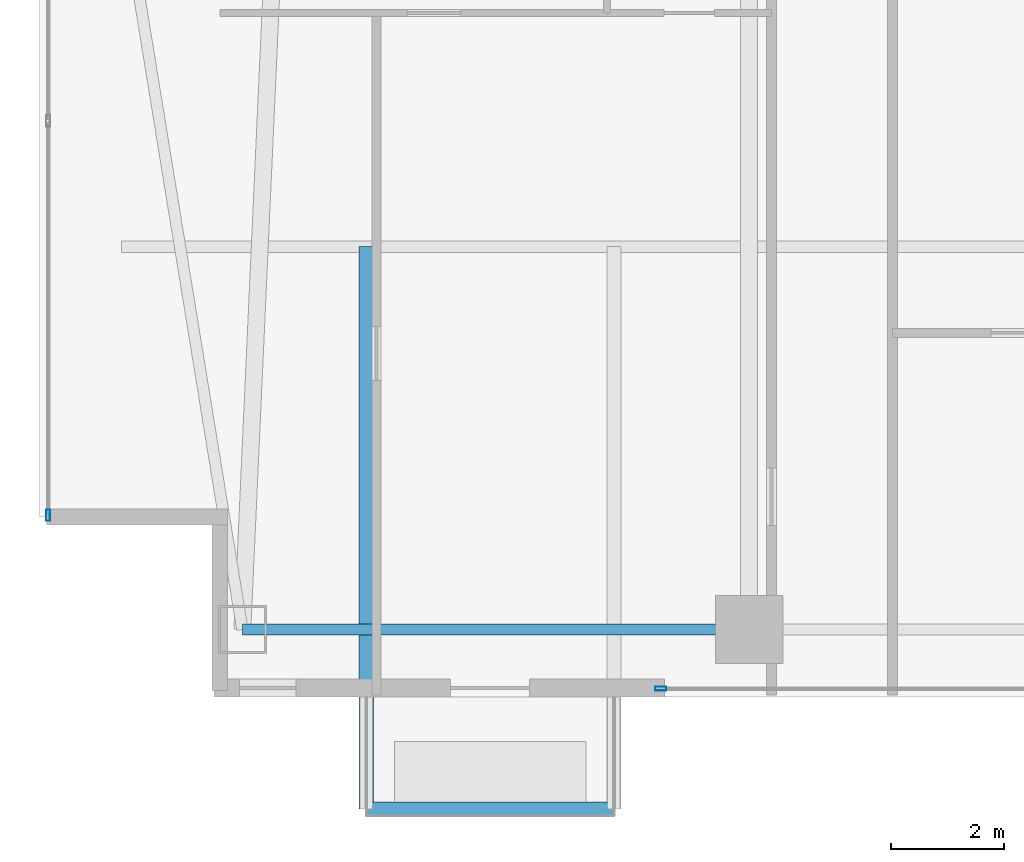
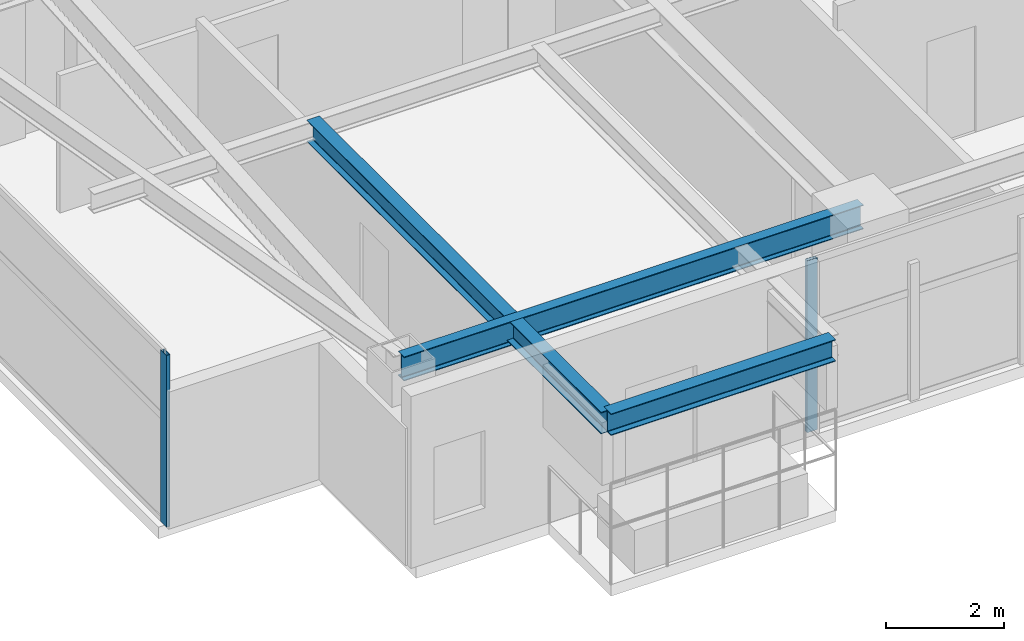
# One storey, part 2 of 28: 3 beams, 2 members, 2 elements without a shape of their own.
"""IFC4 building model written with IfcOpenShell, lengths in metres."""

from ifc_helpers import new_model, si_unit, direction, frame, origin, origin_2d, place, context, subcontext, project, spatial, hollow_rectangle, i_section, extrude, material, layer, layer_set, material_profile, profile_set, type_object, element, aggregate, save


model = new_model("IFC4")

# Units and contexts
model_context = context("Model", 3, precision=1e-05, world=origin(), true_north=direction((0.0, 1.0)))
body_context = subcontext(model_context, "Body", "Model", "MODEL_VIEW")
ifc_project = project(units=[si_unit("LENGTHUNIT", "METRE"), si_unit("AREAUNIT", "SQUARE_METRE"), si_unit("VOLUMEUNIT", "CUBIC_METRE"), si_unit("PLANEANGLEUNIT", "RADIAN"), si_unit("MASSUNIT", "GRAM", prefix="KILO")], contexts=[model_context])

# Site, building, storey
site_placement = place(None, origin())
site = spatial("IfcSite", under=ifc_project, at=site_placement, CompositionType="ELEMENT")
building_placement = place(site_placement, origin())
building = spatial("IfcBuilding", under=site, at=building_placement, Name="Calvorn Quay Hotel", CompositionType="ELEMENT")
storey_placement = place(building_placement, frame((0.0, 0.0, 127.800048828125)))
storey = spatial("IfcBuildingStorey", under=building, at=storey_placement, Name="L31", CompositionType="ELEMENT", Elevation=127.800048828125)

# Beams
ifc_material_1 = material(Name="Steel Q355B", Category="steel")
ifc_material_profile_1 = material_profile(ifc_material_1, i_section(OverallWidth=0.25, OverallDepth=0.449951171875, WebThickness=0.011962890625, FlangeThickness=0.01611328125, FilletRadius=0.01611328125, at=origin_2d()), Name="HN450x250x12x16")
ifc_profile_set_1 = profile_set([ifc_material_profile_1], Name="Steel Q355B")
beam_type_1 = type_object("IfcBeamType", Name="BM-CANT-BALC", PredefinedType="BEAM", material=ifc_profile_set_1)
beam_1_placement = place(storey_placement, frame((5.800048828125, 10.39990234375, 3.31494140625), z_axis=(0.0, -1.0, 0.0), x_axis=(1.0, 0.0, 0.0)))
element("IfcBeam", 1, at=beam_1_placement, inside=storey, type_object=beam_type_1, Name="Cantilever Balcony Beam BCB-L32-2A", PredefinedType="BEAM", context=body_context, shape_type="SweptSolid", body=[
    extrude(i_section(OverallWidth=0.25, OverallDepth=0.449951171875, WebThickness=0.011962890625, FlangeThickness=0.01611328125, FilletRadius=0.01611328125, at=origin_2d()), origin(), (0.0, 0.0, 1.0), 9.989990234375),
])
beam_2_placement = place(storey_placement, frame((5.800048828125, 0.409912109375, 3.31494140625), z_axis=(1.0, 0.0, 0.0), x_axis=(0.0, 1.0, 0.0)))
element("IfcBeam", 2, at=beam_2_placement, inside=storey, type_object=beam_type_1, Name="Beam BCBO-L32-2", PredefinedType="BEAM", context=body_context, shape_type="SweptSolid", body=[
    extrude(i_section(OverallWidth=0.25, OverallDepth=0.449951171875, WebThickness=0.011962890625, FlangeThickness=0.01611328125, FilletRadius=0.01611328125, at=origin_2d()), origin(), (0.0, 0.0, 1.0), 4.39990234375),
])
ifc_material_2 = material(Name="Steel Q355B", Category="steel")
ifc_material_profile_2 = material_profile(ifc_material_2, i_section(OverallWidth=0.199951171875, OverallDepth=0.5, WebThickness=0.010009765625, FlangeThickness=0.01611328125, FilletRadius=0.01611328125, at=origin_2d()), Name="HN500x200x10x16")
ifc_profile_set_2 = profile_set([ifc_material_profile_2], Name="Steel Q355B")
beam_type_2 = type_object("IfcBeamType", Name="BM-SPANDREL-Z1", PredefinedType="SPANDREL", material=ifc_profile_set_2)
beam_3_placement = place(storey_placement, frame((3.60009765625, 3.60009765625, 3.2900390625), z_axis=(1.0, 0.0, 0.0), x_axis=(0.0, 1.0, 0.0)))
element("IfcBeam", 3, at=beam_3_placement, inside=storey, type_object=beam_type_2, Name="Beam BSP-L31-S1", PredefinedType="SPANDREL", context=body_context, shape_type="SweptSolid", body=[
    extrude(i_section(OverallWidth=0.199951171875, OverallDepth=0.5, WebThickness=0.010009765625, FlangeThickness=0.01611328125, FilletRadius=0.01611328125, at=origin_2d()), origin(), (0.0, 0.0, 1.0), 9.0),
])

# Curtain wall, member
ifc_material_3 = material(Name="Pale Anodised Aluminium and Low-E Glass", Category="aluminium")
ifc_layer = layer(ifc_material_3, 0.219970703125)
ifc_layer_set = layer_set([ifc_layer], Name="CW-SYS-Z2")
curtain_wall_type = type_object("IfcCurtainWallType", Name="CW-SYS-Z2", PredefinedType="NOTDEFINED", material=ifc_layer_set)
curtain_wall_1_placement = place(storey_placement, origin())
curtain_wall_1 = element("IfcCurtainWall", 4, at=curtain_wall_1_placement, inside=storey, type_object=curtain_wall_type, Name="Tower West Curtain Wall (L31)", PredefinedType="NOTDEFINED")
ifc_material_4 = material(Name="Pale Anodised Aluminium 6063-T6", Category="aluminium")
ifc_material_profile_3 = material_profile(ifc_material_4, hollow_rectangle(XDim=0.070068359375, YDim=0.199951171875, WallThickness=0.00390625, at=origin_2d()), Name="ALU-M200x70x4")
ifc_profile_set_3 = profile_set([ifc_material_profile_3], Name="Pale Anodised Aluminium 6063-T6")
member_type = type_object("IfcMemberType", Name="CW-SYS-Z2-MUL", PredefinedType="MULLION", material=ifc_profile_set_3)
member_1_placement = place(storey_placement, frame((0.14990234375, 5.6298828125, 0.0), z_axis=(0.0, 0.0, 1.0), x_axis=(-1.0, 0.0, 0.0)))
member_1 = element("IfcMember", 5, at=member_1_placement, type_object=member_type, Name="CW-L31-W mullion 1", PredefinedType="MULLION", context=body_context, shape_type="SweptSolid", body=[
    extrude(hollow_rectangle(XDim=0.070068359375, YDim=0.199951171875, WallThickness=0.00390625, at=origin_2d()), origin(), (0.0, 0.0, 1.0), 3.56005859375),
])
aggregate(curtain_wall_1, [member_1])

curtain_wall_2_placement = place(storey_placement, origin())
curtain_wall_2 = element("IfcCurtainWall", 6, at=curtain_wall_2_placement, inside=storey, type_object=curtain_wall_type, Name="Tower South Waterfront Curtain Wall (L31)", PredefinedType="NOTDEFINED")
member_2_placement = place(storey_placement, frame((11.030029296875, 2.550048828125, 0.0), z_axis=(0.0, 0.0, 1.0), x_axis=(0.0, 1.0, 0.0)))
member_2 = element("IfcMember", 7, at=member_2_placement, type_object=member_type, Name="CW-L31-S mullion 1", PredefinedType="MULLION", context=body_context, shape_type="SweptSolid", body=[
    extrude(hollow_rectangle(XDim=0.070068359375, YDim=0.199951171875, WallThickness=0.00390625, at=origin_2d()), origin(), (0.0, 0.0, 1.0), 3.56005859375),
])
aggregate(curtain_wall_2, [member_2])

save(model, "model.ifc")
